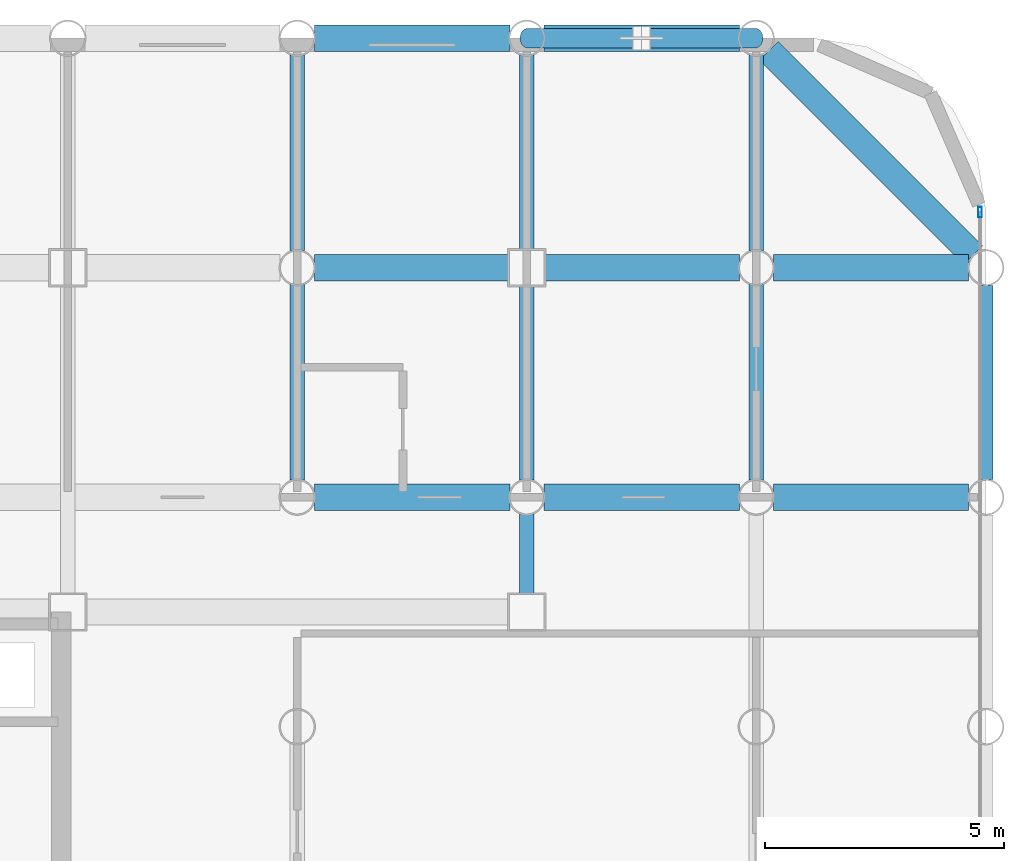
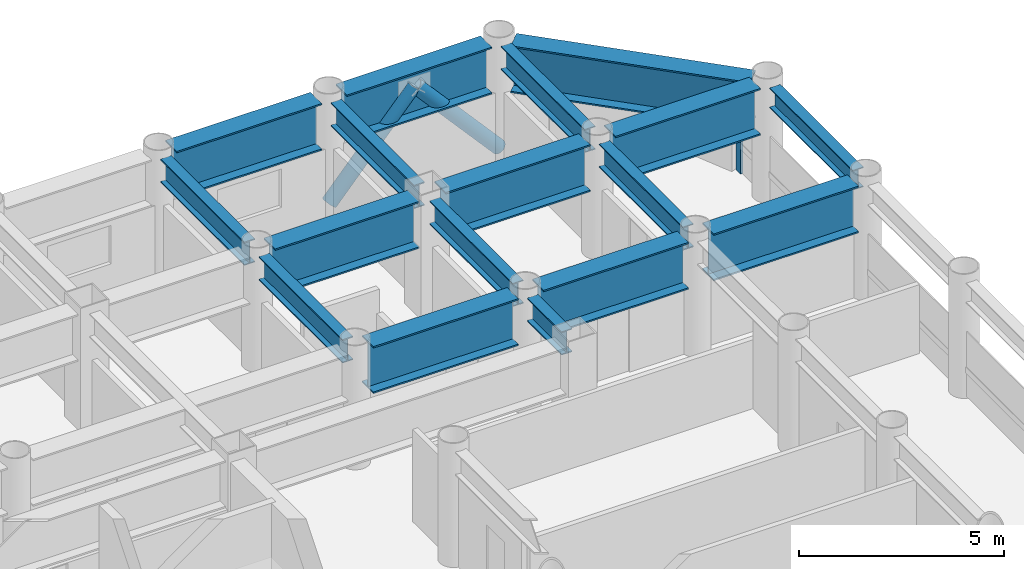
# One storey, part 13 of 21: 17 beams, 3 members, 1 element without a shape of its own.
"""IFC4 building model written with IfcOpenShell, lengths in metres."""

from ifc_helpers import new_model, si_unit, direction, frame, origin, origin_2d, place, context, subcontext, project, spatial, hollow_rectangle, hollow_circle, i_section, extrude, material, layer, layer_set, material_profile, profile_set, type_object, element, aggregate, save


model = new_model("IFC4")

# Units and contexts
model_context = context("Model", 3, precision=1e-05, world=origin(), true_north=direction((0.0, 1.0)))
body_context = subcontext(model_context, "Body", "Model", "MODEL_VIEW")
ifc_project = project(units=[si_unit("LENGTHUNIT", "METRE"), si_unit("AREAUNIT", "SQUARE_METRE"), si_unit("VOLUMEUNIT", "CUBIC_METRE"), si_unit("PLANEANGLEUNIT", "RADIAN"), si_unit("MASSUNIT", "GRAM", prefix="KILO")], contexts=[model_context])

# Site, building, storey
site_placement = place(None, origin())
site = spatial("IfcSite", under=ifc_project, at=site_placement, CompositionType="ELEMENT")
building_placement = place(site_placement, origin())
building = spatial("IfcBuilding", under=site, at=building_placement, Name="Kallvorn Hotel Tower", CompositionType="ELEMENT")
storey_placement = place(building_placement, frame((0.0, 0.0, 85.5)))
storey = spatial("IfcBuildingStorey", under=building, at=storey_placement, Name="L20", CompositionType="ELEMENT", Elevation=85.5)

# Beams
ifc_material_1 = material(Name="Structural steel S355JR", Category="steel")
ifc_material_profile_1 = material_profile(ifc_material_1, i_section(OverallWidth=0.300048828125, OverallDepth=0.60009765625, WebThickness=0.015380859375, FlangeThickness=0.030029296875, at=origin_2d()), Name="HE 600 B")
ifc_profile_set_1 = profile_set([ifc_material_profile_1], Name="Structural steel S355JR")
beam_type_1 = type_object("IfcBeamType", Name="BM_HE600B", PredefinedType="SPANDREL", material=ifc_profile_set_1)
beam_1_placement = place(storey_placement, frame((33.60009765625, 9.970947265625, 3.14990234375), z_axis=(0.0, 1.0, 0.0), x_axis=(-1.0, 0.0, 0.0)))
element("IfcBeam", 1, at=beam_1_placement, inside=storey, type_object=beam_type_1, Name="L21 Perimeter Spandrel 188", PredefinedType="SPANDREL", context=body_context, shape_type="SweptSolid", body=[
    extrude(i_section(OverallWidth=0.300048828125, OverallDepth=0.60009765625, WebThickness=0.015380859375, FlangeThickness=0.030029296875, at=origin_2d()), origin(), (0.0, 0.0, 1.0), 4.05810546875),
])
ifc_material_2 = material(Name="Structural steel S355JR", Category="steel")
ifc_material_profile_2 = material_profile(ifc_material_2, i_section(OverallWidth=0.300048828125, OverallDepth=0.699951171875, WebThickness=0.01708984375, FlangeThickness=0.031982421875, at=origin_2d()), Name="HE 700 B")
ifc_profile_set_2 = profile_set([ifc_material_profile_2], Name="Structural steel S355JR")
beam_type_2 = type_object("IfcBeamType", Name="BM_HE700B", PredefinedType="BEAM", material=ifc_profile_set_2)
for number, where, z_axis, x_axis, name in (
    (2, (19.199951171875, 9.9560546875, 3.10009765625), (0.0, 1.0, 0.0), (-1.0, 0.0, 0.0), "L21 Primary Y-Girder 133"),
    (3, (19.199951171875, 14.756103515625, 3.10009765625), (0.0, 1.0, 0.0), (-1.0, 0.0, 0.0), "L21 Primary Y-Girder 134"),
):
    element("IfcBeam", number, at=place(storey_placement, frame(where, z_axis=z_axis, x_axis=x_axis)), inside=storey, type_object=beam_type_2, Name=name, PredefinedType="BEAM", context=body_context, shape_type="SweptSolid", body=[
        extrude(i_section(OverallWidth=0.300048828125, OverallDepth=0.699951171875, WebThickness=0.01708984375, FlangeThickness=0.031982421875, at=origin_2d()), origin(), (0.0, 0.0, 1.0), 4.087890625),
    ])
beam_2_placement = place(storey_placement, frame((24.0, 7.574951171875, 3.10009765625), z_axis=(0.0, 1.0, 0.0), x_axis=(-1.0, 0.0, 0.0)))
element("IfcBeam", 4, at=beam_2_placement, inside=storey, type_object=beam_type_2, Name="L21 Primary Y-Girder 139", PredefinedType="BEAM", context=body_context, shape_type="SweptSolid", body=[
    extrude(i_section(OverallWidth=0.300048828125, OverallDepth=0.699951171875, WebThickness=0.01708984375, FlangeThickness=0.031982421875, at=origin_2d()), origin(), (0.0, 0.0, 1.0), 1.6689453125),
])
beam_3_placement = place(storey_placement, frame((24.0, 9.9560546875, 3.10009765625), z_axis=(0.0, 1.0, 0.0), x_axis=(-1.0, 0.0, 0.0)))
element("IfcBeam", 5, at=beam_3_placement, inside=storey, type_object=beam_type_2, Name="L21 Primary Y-Girder 140", PredefinedType="BEAM", context=body_context, shape_type="SweptSolid", body=[
    extrude(i_section(OverallWidth=0.300048828125, OverallDepth=0.699951171875, WebThickness=0.01708984375, FlangeThickness=0.031982421875, at=origin_2d()), origin(), (0.0, 0.0, 1.0), 4.06884765625),
])
beam_4_placement = place(storey_placement, frame((24.0, 14.77490234375, 3.10009765625), z_axis=(0.0, 1.0, 0.0), x_axis=(-1.0, 0.0, 0.0)))
element("IfcBeam", 6, at=beam_4_placement, inside=storey, type_object=beam_type_2, Name="L21 Primary Y-Girder 141", PredefinedType="BEAM", context=body_context, shape_type="SweptSolid", body=[
    extrude(i_section(OverallWidth=0.300048828125, OverallDepth=0.699951171875, WebThickness=0.01708984375, FlangeThickness=0.031982421875, at=origin_2d()), origin(), (0.0, 0.0, 1.0), 4.069091796875),
])
for number, where, z_axis, x_axis, name in (
    (7, (28.800048828125, 9.9560546875, 3.10009765625), (0.0, 1.0, 0.0), (-1.0, 0.0, 0.0), "L21 Primary Y-Girder 149"),
    (8, (28.800048828125, 14.756103515625, 3.10009765625), (0.0, 1.0, 0.0), (-1.0, 0.0, 0.0), "L21 Primary Y-Girder 150"),
):
    element("IfcBeam", number, at=place(storey_placement, frame(where, z_axis=z_axis, x_axis=x_axis)), inside=storey, type_object=beam_type_2, Name=name, PredefinedType="BEAM", context=body_context, shape_type="SweptSolid", body=[
        extrude(i_section(OverallWidth=0.300048828125, OverallDepth=0.699951171875, WebThickness=0.01708984375, FlangeThickness=0.031982421875, at=origin_2d()), origin(), (0.0, 0.0, 1.0), 4.087890625),
    ])
ifc_material_3 = material(Name="Structural steel S355JR", Category="steel")
ifc_material_profile_3 = material_profile(ifc_material_3, i_section(OverallWidth=0.550048828125, OverallDepth=1.39990234375, WebThickness=0.02490234375, FlangeThickness=0.044921875, at=origin_2d()), Name="PG 1400x550x25x45")
ifc_profile_set_3 = profile_set([ifc_material_profile_3], Name="Structural steel S355JR")
beam_type_3 = type_object("IfcBeamType", Name="BM_PG_1400", PredefinedType="BEAM", material=ifc_profile_set_3)
for number, where, z_axis, x_axis, name in (
    (9, (19.555908203125, 9.60009765625, 2.75), (1.0, 0.0, 0.0), (0.0, 1.0, 0.0), "L21 Primary X-Girder 48"),
    (10, (24.35595703125, 9.60009765625, 2.75), (1.0, 0.0, 0.0), (0.0, 1.0, 0.0), "L21 Primary X-Girder 49"),
):
    element("IfcBeam", number, at=place(storey_placement, frame(where, z_axis=z_axis, x_axis=x_axis)), inside=storey, type_object=beam_type_3, Name=name, PredefinedType="BEAM", context=body_context, shape_type="SweptSolid", body=[
        extrude(i_section(OverallWidth=0.550048828125, OverallDepth=1.39990234375, WebThickness=0.02490234375, FlangeThickness=0.044921875, at=origin_2d()), origin(), (0.0, 0.0, 1.0), 4.088134765625),
    ])
beam_5_placement = place(storey_placement, frame((29.156005859375, 9.60009765625, 2.75), z_axis=(1.0, 0.0, 0.0), x_axis=(0.0, 1.0, 0.0)))
element("IfcBeam", 11, at=beam_5_placement, inside=storey, type_object=beam_type_3, Name="L21 Primary X-Girder 50", PredefinedType="BEAM", context=body_context, shape_type="SweptSolid", body=[
    extrude(i_section(OverallWidth=0.550048828125, OverallDepth=1.39990234375, WebThickness=0.02490234375, FlangeThickness=0.044921875, at=origin_2d()), origin(), (0.0, 0.0, 1.0), 4.087890625),
])
for number, where, z_axis, x_axis, name in (
    (12, (19.555908203125, 14.39990234375, 2.75), (1.0, 0.0, 0.0), (0.0, 1.0, 0.0), "L21 Primary X-Girder 58"),
    (13, (24.375, 14.39990234375, 2.75), (1.0, 0.0, 0.0), (0.0, 1.0, 0.0), "L21 Primary X-Girder 59"),
):
    element("IfcBeam", number, at=place(storey_placement, frame(where, z_axis=z_axis, x_axis=x_axis)), inside=storey, type_object=beam_type_3, Name=name, PredefinedType="BEAM", context=body_context, shape_type="SweptSolid", body=[
        extrude(i_section(OverallWidth=0.550048828125, OverallDepth=1.39990234375, WebThickness=0.02490234375, FlangeThickness=0.044921875, at=origin_2d()), origin(), (0.0, 0.0, 1.0), 4.069091796875),
    ])
beam_6_placement = place(storey_placement, frame((29.156005859375, 14.39990234375, 2.75), z_axis=(1.0, 0.0, 0.0), x_axis=(0.0, 1.0, 0.0)))
element("IfcBeam", 14, at=beam_6_placement, inside=storey, type_object=beam_type_3, Name="L21 Primary X-Girder 60", PredefinedType="BEAM", context=body_context, shape_type="SweptSolid", body=[
    extrude(i_section(OverallWidth=0.550048828125, OverallDepth=1.39990234375, WebThickness=0.02490234375, FlangeThickness=0.044921875, at=origin_2d()), origin(), (0.0, 0.0, 1.0), 4.087890625),
])
for number, where, z_axis, x_axis, name in (
    (15, (19.555908203125, 19.199951171875, 2.75), (1.0, 0.0, 0.0), (0.0, 1.0, 0.0), "L21 Primary X-Girder 71"),
    (16, (24.35595703125, 19.199951171875, 2.75), (1.0, 0.0, 0.0), (0.0, 1.0, 0.0), "L21 Primary X-Girder 72"),
):
    element("IfcBeam", number, at=place(storey_placement, frame(where, z_axis=z_axis, x_axis=x_axis)), inside=storey, type_object=beam_type_3, Name=name, PredefinedType="BEAM", context=body_context, shape_type="SweptSolid", body=[
        extrude(i_section(OverallWidth=0.550048828125, OverallDepth=1.39990234375, WebThickness=0.02490234375, FlangeThickness=0.044921875, at=origin_2d()), origin(), (0.0, 0.0, 1.0), 4.088134765625),
    ])
beam_7_placement = place(storey_placement, frame((33.337646484375, 14.662353515625, 2.75), z_axis=(-0.707106781187, 0.707106781187, 0.0), x_axis=(-0.707106781187, -0.707106781187, 0.0)))
element("IfcBeam", 17, at=beam_7_placement, inside=storey, type_object=beam_type_3, Name="L21 Rounded Corner Tie Beam 191", PredefinedType="BEAM", context=body_context, shape_type="SweptSolid", body=[
    extrude(i_section(OverallWidth=0.550048828125, OverallDepth=1.39990234375, WebThickness=0.02490234375, FlangeThickness=0.044921875, at=origin_2d()), origin(), (0.0, 0.0, 1.0), 6.04638671875),
])

# Curtain wall, member
ifc_material_4 = material(Name="Thermally broken black-anodised aluminium AA 6063-T6", Category="aluminium")
ifc_layer = layer(ifc_material_4, 0.199951171875)
ifc_layer_set = layer_set([ifc_layer], Name="CW_SYS_3_HOTEL_LOW")
curtain_wall_type = type_object("IfcCurtainWallType", Name="CW_SYS_3_HOTEL_LOW", PredefinedType="USERDEFINED", material=ifc_layer_set)
curtain_wall_placement = place(storey_placement, origin())
curtain_wall = element("IfcCurtainWall", 18, at=curtain_wall_placement, inside=storey, type_object=curtain_wall_type, Name="L20 Dark-Glass Curtain Wall CW-L20-EN", ObjectType="UNITISED CURTAIN WALL", PredefinedType="USERDEFINED")
ifc_material_5 = material(Name="Thermally broken black-anodised aluminium AA 6063-T6", Category="aluminium")
ifc_material_profile_4 = material_profile(ifc_material_5, hollow_rectangle(XDim=0.080078125, YDim=0.219970703125, WallThickness=0.0048828125, at=origin_2d()), Name="MUL 220x80")
ifc_profile_set_4 = profile_set([ifc_material_profile_4], Name="Thermally broken black-anodised aluminium AA 6063-T6")
member_type_1 = type_object("IfcMemberType", Name="CW_MULLION_220x80", PredefinedType="MULLION", material=ifc_profile_set_4)
member_placement = place(storey_placement, frame((33.47998046875, 15.56005859375, 0.02001953125), z_axis=(0.0, 0.0, 1.0), x_axis=(1.0, 0.0, 0.0)))
member = element("IfcMember", 19, at=member_placement, type_object=member_type_1, Name="CW-L20-EN Mullion 01", PredefinedType="MULLION", context=body_context, shape_type="SweptSolid", body=[
    extrude(hollow_rectangle(XDim=0.080078125, YDim=0.219970703125, WallThickness=0.0048828125, at=origin_2d()), origin(), (0.0, 0.0, 1.0), 2.010009765625),
])
aggregate(curtain_wall, [member])

# Members
ifc_material_6 = material(Name="Structural steel S355J2H", Category="steel")
ifc_material_profile_5 = material_profile(ifc_material_6, hollow_circle(Radius=0.203125, WallThickness=0.01611328125, at=origin_2d()), Name="CHS 406.4x16")
ifc_profile_set_5 = profile_set([ifc_material_profile_5], Name="Structural steel S355J2H")
member_type_2 = type_object("IfcMemberType", Name="MBR_EXO_CHS406", PredefinedType="BRACE", material=ifc_profile_set_5)
for number, where, z_axis, x_axis, name in (
    (20, (24.01318359375, 19.199951171875, 0.195068359375), (0.663016682627, 0.0, 0.748604620983), (0.0, 1.0, 0.0), "L20 Exoskeleton K-Brace N2A"),
    (21, (28.78662109375, 19.199951171875, 0.195068359375), (-0.662978461517, 0.0, 0.748638470535), (0.0, -1.0, 0.0), "L20 Exoskeleton K-Brace N2B"),
):
    element("IfcMember", number, at=place(storey_placement, frame(where, z_axis=z_axis, x_axis=x_axis)), inside=storey, type_object=member_type_2, Name=name, PredefinedType="BRACE", context=body_context, shape_type="SweptSolid", body=[
        extrude(hollow_circle(Radius=0.203125, WallThickness=0.01611328125, at=origin_2d()), origin(), (0.0, 0.0, 1.0), 3.579833984375),
    ])

save(model, "model.ifc")
